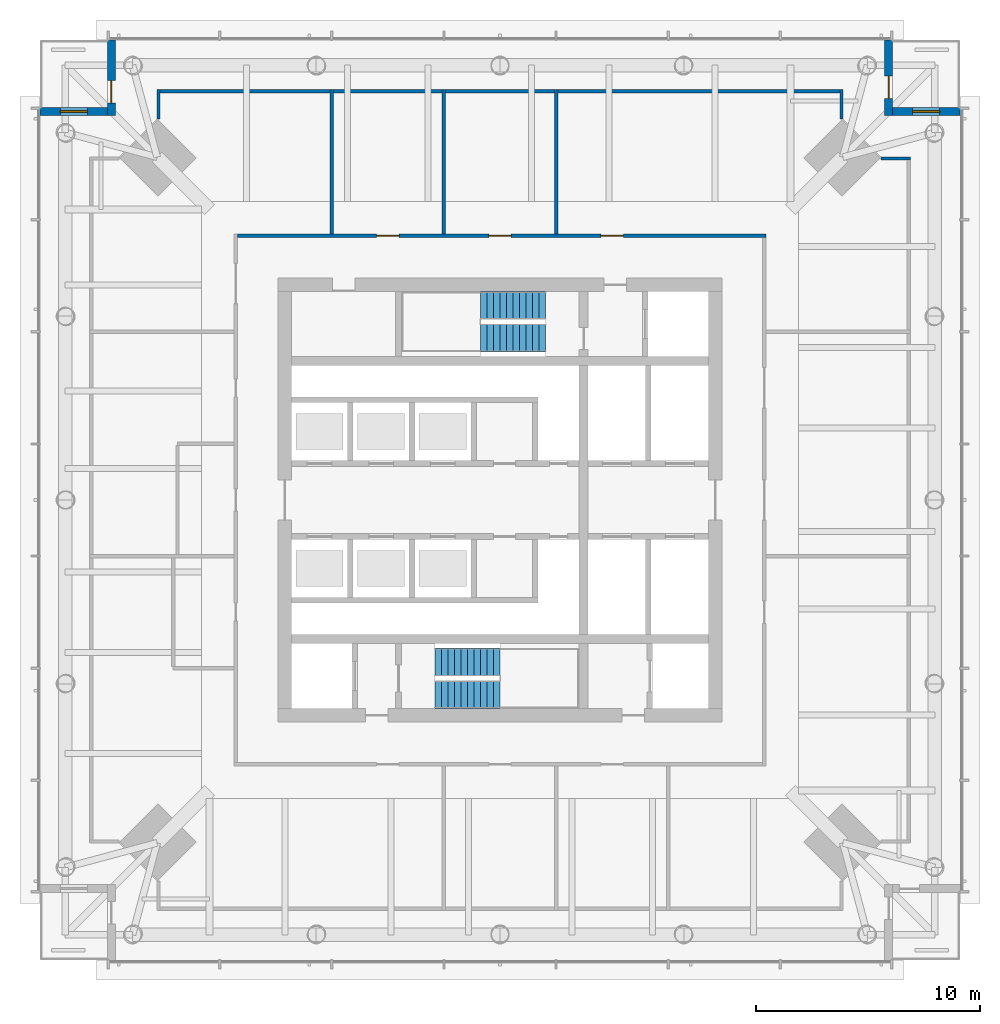
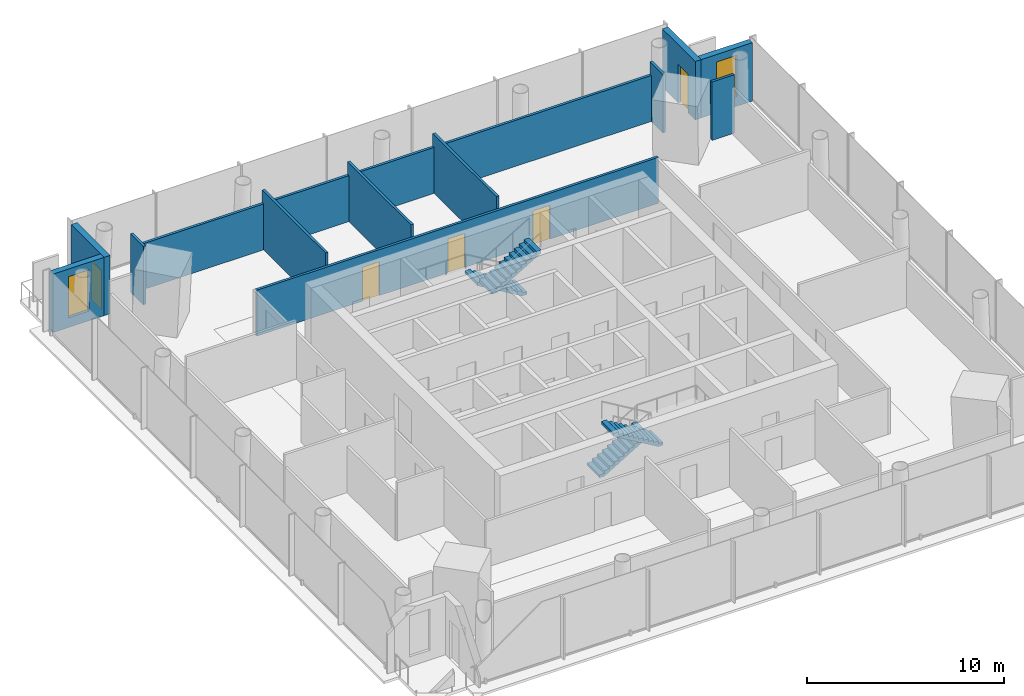
# One storey, part 6 of 12: 12 walls, 5 doors, 4 stair flights, 2 windows, 7 openings, 2 elements without a shape of their own.
"""IFC4 building model written with IfcOpenShell, lengths in metres."""

import ifcopenshell
import ifcopenshell.guid

model = None  # the IFC model being written
_history = None  # IfcOwnerHistory: only IFC2X3 demands one
_inside = {}  # id of a spatial element -> (the spatial element, [elements in it])
_under = {}  # id of a project, library or spatial element -> (it, [spatial elements below it])
_declared = {}  # id of a project -> (the project, [libraries it declares])
_typed = {}  # id of a type object -> (the type object, [elements of that type])
_made_of = {}  # id of a material, layer set ... -> (it, [elements and type objects made of it])


def new_model(schema):
    """Start an empty IFC model of exactly this schema.

    Asked for "IFC4X3", IfcOpenShell would pick the latest addendum, in which some entities
    have other attributes; the version numbers below select the first issue.
    IFC2X3 requires an IfcOwnerHistory on every rooted entity: one is made here for all.
    """
    global model, _history
    if schema == "IFC4X3":
        model = ifcopenshell.file(schema_version=(4, 3, 0, 0))
    else:
        model = ifcopenshell.file(schema=schema)
    _inside.clear()
    _under.clear()
    _declared.clear()
    _typed.clear()
    _made_of.clear()
    _history = None
    if model.schema == "IFC2X3":
        org = make("IfcOrganization", Name="unknown")
        user = make(
            "IfcPersonAndOrganization",
            ThePerson=make("IfcPerson", FamilyName="unknown"),
            TheOrganization=org,
        )
        app = make(
            "IfcApplication",
            ApplicationDeveloper=org,
            Version="unknown",
            ApplicationFullName="unknown",
            ApplicationIdentifier="unknown",
        )
        _history = make(
            "IfcOwnerHistory",
            OwningUser=user,
            OwningApplication=app,
            ChangeAction="ADDED",
            CreationDate=0,
        )
    return model


def make(cls, **values):
    """One entity of the class cls with the attributes given. An attribute that is None is left unset."""
    return model.create_entity(
        cls, **{name: value for name, value in values.items() if value is not None}
    )


def rooted(cls, **values):
    """An entity with a GlobalId (a new one), such as an element, a storey or a relation."""
    return make(cls, GlobalId=ifcopenshell.guid.new(), OwnerHistory=_history, **values)


def si_unit(unit_type, name, prefix=None):
    """IfcSIUnit, for example si_unit("LENGTHUNIT", "METRE", prefix="MILLI")."""
    return make("IfcSIUnit", UnitType=unit_type, Prefix=prefix, Name=name)


def assignment(units):
    """IfcUnitAssignment: the units of a project."""
    return None if units is None else make("IfcUnitAssignment", Units=units)


def point(xyz):
    """IfcCartesianPoint."""
    return None if xyz is None else make("IfcCartesianPoint", Coordinates=xyz)


def direction(xyz):
    """IfcDirection."""
    return None if xyz is None else make("IfcDirection", DirectionRatios=xyz)


def frame(location, z_axis=None, x_axis=None):
    """IfcAxis2Placement3D, a coordinate frame: its origin and axes. An axis left out is left unset."""
    return make(
        "IfcAxis2Placement3D",
        Location=point(location),
        Axis=direction(z_axis),
        RefDirection=direction(x_axis),
    )


def frame_2d(location, x_axis=None):
    """IfcAxis2Placement2D, a coordinate frame in the plane: its origin and x axis."""
    return make(
        "IfcAxis2Placement2D", Location=point(location), RefDirection=direction(x_axis)
    )


def origin():
    """The frame at (0, 0, 0) with its axes left unset."""
    return frame((0.0, 0.0, 0.0))


def place(relative_to, where):
    """IfcLocalPlacement: puts the frame where relative to a parent placement (None: the world)."""
    return make(
        "IfcLocalPlacement", PlacementRelTo=relative_to, RelativePlacement=where
    )


def context(
    kind, dimensions, precision=None, world=None, true_north=None, identifier=None
):
    """IfcGeometricRepresentationContext, for example the 3D "Model" context."""
    return make(
        "IfcGeometricRepresentationContext",
        ContextIdentifier=identifier,
        ContextType=kind,
        CoordinateSpaceDimension=dimensions,
        Precision=precision,
        WorldCoordinateSystem=world,
        TrueNorth=true_north,
    )


def subcontext(parent, identifier, kind, view, scale=None):
    """IfcGeometricRepresentationSubContext, for example "Body" below "Model"."""
    return make(
        "IfcGeometricRepresentationSubContext",
        ContextIdentifier=identifier,
        ContextType=kind,
        ParentContext=parent,
        TargetScale=scale,
        TargetView=view,
    )


def project(units=None, contexts=None):
    """IfcProject with its units and contexts."""
    return rooted(
        "IfcProject",
        Name="project",
        RepresentationContexts=contexts,
        UnitsInContext=assignment(units),
    )


def spatial(cls, under=None, at=None, **own):
    """A site, building, storey or space (cls), placed at a placement, below another one or the project."""
    s = rooted(cls, ObjectPlacement=at, **own)
    if under is not None:
        _under.setdefault(under.id(), (under, []))[1].append(s)
    return s


def polyline(points):
    """IfcPolyline through the points."""
    return make("IfcPolyline", Points=[point(p) for p in points])


def profile(cls, at=None, kind="AREA", **sizes):
    """A parametric profile (cls). Its sizes go by their IFC names, for example OverallWidth=200.0."""
    return make(cls, ProfileType=kind, Position=at, **sizes)


def rectangle(**sizes):
    """IfcRectangleProfileDef."""
    return profile("IfcRectangleProfileDef", **sizes)


def outline(outer, holes=None, kind="AREA"):
    """IfcArbitraryClosedProfileDef: a profile drawn as a closed curve; with holes, ...WithVoids."""
    if holes is None:
        return make("IfcArbitraryClosedProfileDef", ProfileType=kind, OuterCurve=outer)
    return make(
        "IfcArbitraryProfileDefWithVoids",
        ProfileType=kind,
        OuterCurve=outer,
        InnerCurves=holes,
    )


def extrude(swept, where, along, depth):
    """IfcExtrudedAreaSolid: the profile swept, set in the frame where, extruded along a direction by depth."""
    return make(
        "IfcExtrudedAreaSolid",
        SweptArea=swept,
        Position=where,
        ExtrudedDirection=direction(along),
        Depth=depth,
    )


def shape(context_of_items, identifier, shape_type, items):
    """IfcShapeRepresentation: the items that make up one representation, for example the "Body"."""
    return make(
        "IfcShapeRepresentation",
        ContextOfItems=context_of_items,
        RepresentationIdentifier=identifier,
        RepresentationType=shape_type,
        Items=items,
    )


def material(Name=None, Category=None):
    """IfcMaterial."""
    return make("IfcMaterial", Name=Name, Category=Category)


def layer(
    of_material, thickness, ventilated=None, Name=None, Category=None, Priority=None
):
    """IfcMaterialLayer: one layer of a wall or slab, of a material (None: an air gap)."""
    return make(
        "IfcMaterialLayer",
        Material=of_material,
        LayerThickness=thickness,
        IsVentilated=ventilated,
        Name=Name,
        Category=Category,
        Priority=Priority,
    )


def layer_set(layers, Name=None):
    """IfcMaterialLayerSet."""
    return make("IfcMaterialLayerSet", MaterialLayers=layers, LayerSetName=Name)


def made_of(thing, what):
    """Note that an element or type object is made of a material, layer set ...; save() writes the relation."""
    if what is not None:
        _made_of.setdefault(what.id(), (what, []))[1].append(thing)
    return thing


def type_object(cls, material=None, **own):
    """A type object (cls), such as IfcWallType, which elements share."""
    return made_of(rooted(cls, **own), material)


def element(
    cls,
    number,
    at=None,
    inside=None,
    cuts=None,
    type_object=None,
    material=None,
    context=None,
    identifier="Body",
    shape_type=None,
    held_by="IfcProductDefinitionShape",
    body=None,
    shapes=None,
    **own,
):
    """One element of the class cls, such as IfcWall. Its Tag is "e" and its number.

    at: its placement. inside: the storey or other place that contains it. cuts: it is an
    opening in that element (IfcRelVoidsElement). A single representation is given by context,
    identifier, shape_type and body (its items); several are given by shapes. held_by: the class
    of the entity that holds the representations. save() writes the other relations.
    """
    e = rooted(cls, Tag="e%d" % number, ObjectPlacement=at, **own)
    if body is not None:
        shapes = [shape(context, identifier, shape_type, body)]
    if shapes is not None:
        e.Representation = make(held_by, Representations=shapes)
    if inside is not None:
        _inside.setdefault(inside.id(), (inside, []))[1].append(e)
    if cuts is not None:
        rooted(
            "IfcRelVoidsElement", RelatingBuildingElement=cuts, RelatedOpeningElement=e
        )
    if type_object is not None:
        _typed.setdefault(type_object.id(), (type_object, []))[1].append(e)
    return made_of(e, material)


def fill(opening, filler):
    """IfcRelFillsElement: the door or window that sits in an opening."""
    return rooted(
        "IfcRelFillsElement",
        RelatingOpeningElement=opening,
        RelatedBuildingElement=filler,
    )


def aggregate(whole, parts):
    """IfcRelAggregates: a whole, such as a stair, and the parts it consists of."""
    return rooted("IfcRelAggregates", RelatingObject=whole, RelatedObjects=parts)


def save(model, path):
    """Write the relations noted so far, then the file.

    IfcRelAggregates (storeys below a building ...), IfcRelContainedInSpatialStructure (elements
    in a storey), IfcRelDefinesByType, IfcRelAssociatesMaterial and IfcRelDeclares: one each for
    every whole, place, type object, material and project.
    """
    for whole, parts in _under.values():
        aggregate(whole, parts)
    for where, things in _inside.values():
        rooted(
            "IfcRelContainedInSpatialStructure",
            RelatedElements=things,
            RelatingStructure=where,
        )
    for kind, things in _typed.values():
        rooted("IfcRelDefinesByType", RelatedObjects=things, RelatingType=kind)
    for what, things in _made_of.values():
        rooted("IfcRelAssociatesMaterial", RelatedObjects=things, RelatingMaterial=what)
    for by, libraries in _declared.values():
        rooted("IfcRelDeclares", RelatingContext=by, RelatedDefinitions=libraries)
    model.write(path)


model = new_model("IFC4")

# Units and contexts
model_context = context("Model", 3, precision=1e-05, world=origin(), true_north=direction((0.0, 1.0)))
body_context = subcontext(model_context, "Body", "Model", "MODEL_VIEW")
ifc_project = project(units=[si_unit("LENGTHUNIT", "METRE"), si_unit("AREAUNIT", "SQUARE_METRE"), si_unit("VOLUMEUNIT", "CUBIC_METRE"), si_unit("PLANEANGLEUNIT", "RADIAN"), si_unit("MASSUNIT", "GRAM", prefix="KILO")], contexts=[model_context])

# Site, building, storey
site_placement = place(None, origin())
site = spatial("IfcSite", under=ifc_project, at=site_placement, CompositionType="ELEMENT")
building_placement = place(site_placement, origin())
building = spatial("IfcBuilding", under=site, at=building_placement, Name="Ostroluk Exchange", CompositionType="ELEMENT")
storey_placement = place(building_placement, frame((0.0, 0.0, 165.39990234375)))
storey = spatial("IfcBuildingStorey", under=building, at=storey_placement, Name="L42", CompositionType="ELEMENT", Elevation=165.39990234375)

# Wall, opening, door
ifc_material_1 = material(Name="Limestone", Category="masonry")
ifc_layer_1 = layer(ifc_material_1, 0.35009765625)
ifc_layer_set_1 = layer_set([ifc_layer_1], Name="Limestone facade wall 350")
wall_type_1 = type_object("IfcWallType", Name="Limestone facade wall 350", PredefinedType="SOLIDWALL", material=ifc_layer_set_1)
wall_1_placement = place(storey_placement, frame((62.324951171875, 66.5, 0.0), z_axis=(0.0, 0.0, 1.0), x_axis=(0.0, -1.0, 0.0)))
wall_1 = element("IfcWall", 1, at=wall_1_placement, inside=storey, type_object=wall_type_1, Name="Office tower NE corner wall L42 a", PredefinedType="SOLIDWALL", context=body_context, shape_type="SweptSolid", body=[
    extrude(rectangle(XDim=3.35009765625, YDim=0.35009765625, at=frame_2d((1.675048828125, 0.0))), origin(), (0.0, 0.0, 1.0), 3.6201171875),
])
opening_1_placement = place(wall_1_placement, frame((1.60009765625, 0.0, 0.0)))
opening_1 = element("IfcOpeningElement", 2, at=opening_1_placement, cuts=wall_1, Name="Opening D-B1", PredefinedType="OPENING", context=body_context, shape_type="SweptSolid", body=[
    extrude(rectangle(XDim=1.0, YDim=2.39990234375, at=frame_2d((0.5, 1.199951171875))), frame((0.0, 0.18505859375, 0.0), z_axis=(0.0, -1.0, 0.0), x_axis=(1.0, 0.0, 0.0)), (0.0, 0.0, 1.0), 0.3701171875),
])
ifc_material_2 = material(Name="Bronze framed glazed door", Category="aluminium")
door_type_1 = type_object("IfcDoorType", Name="Balcony door 1000 x 2400", OperationType="SINGLE_SWING_LEFT", PredefinedType="DOOR", material=ifc_material_2)
door_1_placement = place(opening_1_placement, origin())
door_1 = element("IfcDoor", 3, at=door_1_placement, inside=storey, type_object=door_type_1, Name="Office tower NE balcony door L42", OperationType="SINGLE_SWING_RIGHT", OverallHeight=2.39990234375, OverallWidth=1.0, PredefinedType="DOOR", context=body_context, shape_type="SweptSolid", body=[
    extrude(rectangle(XDim=1.0, YDim=2.39990234375, at=frame_2d((0.5, 1.199951171875))), frame((0.0, 0.02490234375, 0.0), z_axis=(0.0, -1.0, 0.0), x_axis=(1.0, 0.0, 0.0)), (0.0, 0.0, 1.0), 0.050048828125),
])
fill(opening_1, door_1)

# Wall, opening, window
wall_2_placement = place(storey_placement, frame((62.5, 63.324951171875, 0.0), z_axis=(0.0, 0.0, 1.0), x_axis=(1.0, 0.0, 0.0)))
wall_2 = element("IfcWall", 4, at=wall_2_placement, inside=storey, type_object=wall_type_1, Name="Office tower NE corner wall L42 b", PredefinedType="SOLIDWALL", context=body_context, shape_type="SweptSolid", body=[
    extrude(rectangle(XDim=3.0, YDim=0.35009765625, at=frame_2d((1.5, 0.0))), origin(), (0.0, 0.0, 1.0), 3.6201171875),
])
opening_2_placement = place(wall_2_placement, frame((0.89990234375, 0.0, 0.60009765625)))
opening_2 = element("IfcOpeningElement", 5, at=opening_2_placement, cuts=wall_2, Name="Opening WN-L1", PredefinedType="OPENING", context=body_context, shape_type="SweptSolid", body=[
    extrude(rectangle(XDim=1.199951171875, YDim=2.550048828125, at=frame_2d((0.60009765625, 1.27490234375))), frame((0.0, 0.18505859375, 0.0), z_axis=(0.0, -1.0, 0.0), x_axis=(1.0, 0.0, 0.0)), (0.0, 0.0, 1.0), 0.3701171875),
])
ifc_material_3 = material(Name="Laminated clear glass", Category="glass")
window_type = type_object("IfcWindowType", Name="Lancet window 1200 x 2550", PartitioningType="SINGLE_PANEL", PredefinedType="WINDOW", material=ifc_material_3)
window_1_placement = place(opening_2_placement, origin())
window_1 = element("IfcWindow", 6, at=window_1_placement, inside=storey, type_object=window_type, Name="Office tower NE lancet window L42", OverallHeight=2.550048828125, OverallWidth=1.199951171875, PartitioningType="SINGLE_PANEL", PredefinedType="WINDOW", context=body_context, shape_type="SweptSolid", body=[
    extrude(rectangle(XDim=1.199951171875, YDim=2.550048828125, at=frame_2d((0.60009765625, 1.27490234375))), frame((0.0, 0.030029296875, 0.0), z_axis=(0.0, -1.0, 0.0), x_axis=(1.0, 0.0, 0.0)), (0.0, 0.0, 1.0), 0.06005859375),
])
fill(opening_2, window_1)

# Wall, opening, door
wall_3_placement = place(storey_placement, frame((27.675048828125, 66.5, 0.0), z_axis=(0.0, 0.0, 1.0), x_axis=(0.0, -1.0, 0.0)))
wall_3 = element("IfcWall", 7, at=wall_3_placement, inside=storey, type_object=wall_type_1, Name="Office tower NW corner wall L42 a", PredefinedType="SOLIDWALL", context=body_context, shape_type="SweptSolid", body=[
    extrude(rectangle(XDim=3.35009765625, YDim=0.35009765625, at=frame_2d((1.675048828125, 0.0))), origin(), (0.0, 0.0, 1.0), 3.6201171875),
])
opening_3_placement = place(wall_3_placement, frame((1.800048828125, 0.0, 0.0)))
opening_3 = element("IfcOpeningElement", 8, at=opening_3_placement, cuts=wall_3, Name="Opening D-B1", PredefinedType="OPENING", context=body_context, shape_type="SweptSolid", body=[
    extrude(rectangle(XDim=1.0, YDim=2.39990234375, at=frame_2d((0.5, 1.199951171875))), frame((0.0, 0.18505859375, 0.0), z_axis=(0.0, -1.0, 0.0), x_axis=(1.0, 0.0, 0.0)), (0.0, 0.0, 1.0), 0.3701171875),
])
door_2_placement = place(opening_3_placement, origin())
door_2 = element("IfcDoor", 9, at=door_2_placement, inside=storey, type_object=door_type_1, Name="Office tower NW balcony door L42", OperationType="SINGLE_SWING_RIGHT", OverallHeight=2.39990234375, OverallWidth=1.0, PredefinedType="DOOR", context=body_context, shape_type="SweptSolid", body=[
    extrude(rectangle(XDim=1.0, YDim=2.39990234375, at=frame_2d((0.5, 1.199951171875))), frame((0.0, 0.02490234375, 0.0), z_axis=(0.0, -1.0, 0.0), x_axis=(1.0, 0.0, 0.0)), (0.0, 0.0, 1.0), 0.050048828125),
])
fill(opening_3, door_2)

# Wall, opening, window
wall_4_placement = place(storey_placement, frame((27.5, 63.324951171875, 0.0), z_axis=(0.0, 0.0, 1.0), x_axis=(-1.0, 0.0, 0.0)))
wall_4 = element("IfcWall", 10, at=wall_4_placement, inside=storey, type_object=wall_type_1, Name="Office tower NW corner wall L42 b", PredefinedType="SOLIDWALL", context=body_context, shape_type="SweptSolid", body=[
    extrude(rectangle(XDim=3.0, YDim=0.35009765625, at=frame_2d((1.5, 0.0))), origin(), (0.0, 0.0, 1.0), 3.6201171875),
])
opening_4_placement = place(wall_4_placement, frame((0.89990234375, 0.0, 0.60009765625)))
opening_4 = element("IfcOpeningElement", 11, at=opening_4_placement, cuts=wall_4, Name="Opening WN-L1", PredefinedType="OPENING", context=body_context, shape_type="SweptSolid", body=[
    extrude(rectangle(XDim=1.199951171875, YDim=2.550048828125, at=frame_2d((0.60009765625, 1.27490234375))), frame((0.0, 0.18505859375, 0.0), z_axis=(0.0, -1.0, 0.0), x_axis=(1.0, 0.0, 0.0)), (0.0, 0.0, 1.0), 0.3701171875),
])
window_2_placement = place(opening_4_placement, origin())
window_2 = element("IfcWindow", 12, at=window_2_placement, inside=storey, type_object=window_type, Name="Office tower NW lancet window L42", OverallHeight=2.550048828125, OverallWidth=1.199951171875, PartitioningType="SINGLE_PANEL", PredefinedType="WINDOW", context=body_context, shape_type="SweptSolid", body=[
    extrude(rectangle(XDim=1.199951171875, YDim=2.550048828125, at=frame_2d((0.60009765625, 1.27490234375))), frame((0.0, 0.030029296875, 0.0), z_axis=(0.0, -1.0, 0.0), x_axis=(1.0, 0.0, 0.0)), (0.0, 0.0, 1.0), 0.06005859375),
])
fill(opening_4, window_2)

# Wall, openings, doors
ifc_material_4 = material(Name="Gypsum plasterboard partition", Category="gypsum")
ifc_layer_2 = layer(ifc_material_4, 0.14990234375)
ifc_layer_set_2 = layer_set([ifc_layer_2], Name="Plasterboard partition 150")
wall_type_2 = type_object("IfcWallType", Name="Plasterboard partition 150", PredefinedType="PARTITIONING", material=ifc_layer_set_2)
wall_5_placement = place(storey_placement, frame((56.85009765625, 57.77490234375, 0.0), z_axis=(0.0, 0.0, 1.0), x_axis=(-1.0, 0.0, 0.0)))
wall_5 = element("IfcWall", 13, at=wall_5_placement, inside=storey, type_object=wall_type_2, Name="Partition", PredefinedType="PARTITIONING", context=body_context, shape_type="SweptSolid", body=[
    extrude(rectangle(XDim=23.550048828125, YDim=0.14990234375, at=frame_2d((11.77490234375, 0.0))), origin(), (0.0, 0.0, 1.0), 2.85009765625),
])
opening_5_placement = place(wall_5_placement, frame((6.35009765625, 0.0, 0.0)))
opening_5 = element("IfcOpeningElement", 14, at=opening_5_placement, cuts=wall_5, Name="Opening D-03", PredefinedType="OPENING", context=body_context, shape_type="SweptSolid", body=[
    extrude(rectangle(XDim=1.0, YDim=2.10009765625, at=frame_2d((0.5, 1.050048828125))), frame((0.0, 0.0849609375, 0.0), z_axis=(0.0, -1.0, 0.0), x_axis=(1.0, 0.0, 0.0)), (0.0, 0.0, 1.0), 0.169921875),
])
opening_6_placement = place(wall_5_placement, frame((11.35009765625, 0.0, 0.0)))
opening_6 = element("IfcOpeningElement", 15, at=opening_6_placement, cuts=wall_5, Name="Opening D-03", PredefinedType="OPENING", context=body_context, shape_type="SweptSolid", body=[
    extrude(rectangle(XDim=1.0, YDim=2.10009765625, at=frame_2d((0.5, 1.050048828125))), frame((0.0, 0.0849609375, 0.0), z_axis=(0.0, -1.0, 0.0), x_axis=(1.0, 0.0, 0.0)), (0.0, 0.0, 1.0), 0.169921875),
])
opening_7_placement = place(wall_5_placement, frame((16.35009765625, 0.0, 0.0)))
opening_7 = element("IfcOpeningElement", 16, at=opening_7_placement, cuts=wall_5, Name="Opening D-03", PredefinedType="OPENING", context=body_context, shape_type="SweptSolid", body=[
    extrude(rectangle(XDim=1.0, YDim=2.10009765625, at=frame_2d((0.5, 1.050048828125))), frame((0.0, 0.0849609375, 0.0), z_axis=(0.0, -1.0, 0.0), x_axis=(1.0, 0.0, 0.0)), (0.0, 0.0, 1.0), 0.169921875),
])
ifc_material_5 = material(Name="Timber", Category="wood")
door_type_2 = type_object("IfcDoorType", Name="Internal door 1000 x 2100", OperationType="SINGLE_SWING_LEFT", PredefinedType="DOOR", material=ifc_material_5)
door_3_placement = place(opening_5_placement, origin())
door_3 = element("IfcDoor", 17, at=door_3_placement, inside=storey, type_object=door_type_2, Name="Meeting room door", OperationType="SINGLE_SWING_LEFT", OverallHeight=2.10009765625, OverallWidth=1.0, PredefinedType="DOOR", context=body_context, shape_type="SweptSolid", body=[
    extrude(rectangle(XDim=1.0, YDim=2.10009765625, at=frame_2d((0.5, 1.050048828125))), frame((0.0, 0.02490234375, 0.0), z_axis=(0.0, -1.0, 0.0), x_axis=(1.0, 0.0, 0.0)), (0.0, 0.0, 1.0), 0.050048828125),
])
fill(opening_5, door_3)
door_4_placement = place(opening_6_placement, origin())
door_4 = element("IfcDoor", 18, at=door_4_placement, inside=storey, type_object=door_type_2, Name="Meeting room door", OperationType="SINGLE_SWING_RIGHT", OverallHeight=2.10009765625, OverallWidth=1.0, PredefinedType="DOOR", context=body_context, shape_type="SweptSolid", body=[
    extrude(rectangle(XDim=1.0, YDim=2.10009765625, at=frame_2d((0.5, 1.050048828125))), frame((0.0, 0.02490234375, 0.0), z_axis=(0.0, -1.0, 0.0), x_axis=(1.0, 0.0, 0.0)), (0.0, 0.0, 1.0), 0.050048828125),
])
fill(opening_6, door_4)
door_5_placement = place(opening_7_placement, origin())
door_5 = element("IfcDoor", 19, at=door_5_placement, inside=storey, type_object=door_type_2, Name="Meeting room door", OperationType="SINGLE_SWING_RIGHT", OverallHeight=2.10009765625, OverallWidth=1.0, PredefinedType="DOOR", context=body_context, shape_type="SweptSolid", body=[
    extrude(rectangle(XDim=1.0, YDim=2.10009765625, at=frame_2d((0.5, 1.050048828125))), frame((0.0, 0.02490234375, 0.0), z_axis=(0.0, -1.0, 0.0), x_axis=(1.0, 0.0, 0.0)), (0.0, 0.0, 1.0), 0.050048828125),
])
fill(opening_7, door_5)

# Walls
for number, where, z_axis, x_axis, name in (
    (20, (47.5, 57.85009765625, 0.0), (0.0, 0.0, 1.0), (0.0, 1.0, 0.0), "Partition"),
    (21, (42.5, 57.85009765625, 0.0), (0.0, 0.0, 1.0), (0.0, 1.0, 0.0), "Partition"),
    (22, (37.5, 57.85009765625, 0.0), (0.0, 0.0, 1.0), (0.0, 1.0, 0.0), "Partition"),
):
    element("IfcWall", number, at=place(storey_placement, frame(where, z_axis=z_axis, x_axis=x_axis)), inside=storey, type_object=wall_type_2, Name=name, PredefinedType="PARTITIONING", context=body_context, shape_type="SweptSolid", body=[
        extrude(rectangle(XDim=6.449951171875, YDim=0.14990234375, at=frame_2d((3.22509765625, 0.0))), origin(), (0.0, 0.0, 1.0), 3.6201171875),
    ])
wall_6_placement = place(storey_placement, frame((29.77490234375, 62.982666015625, 0.0), z_axis=(0.0, 0.0, 1.0), x_axis=(0.0, 1.0, 0.0)))
element("IfcWall", 23, at=wall_6_placement, inside=storey, type_object=wall_type_2, Name="Truss zone partition", PredefinedType="PARTITIONING", context=body_context, shape_type="SweptSolid", body=[
    extrude(rectangle(XDim=1.3173828125, YDim=0.14990234375, at=frame_2d((0.65869140625, 0.0))), origin(), (0.0, 0.0, 1.0), 3.6201171875),
])
wall_7_placement = place(storey_placement, frame((29.699951171875, 64.22509765625, 0.0), z_axis=(0.0, 0.0, 1.0), x_axis=(1.0, 0.0, 0.0)))
element("IfcWall", 24, at=wall_7_placement, inside=storey, type_object=wall_type_2, Name="Truss zone partition", PredefinedType="PARTITIONING", context=body_context, shape_type="SweptSolid", body=[
    extrude(rectangle(XDim=30.60009765625, YDim=0.14990234375, at=frame_2d((15.300048828125, 0.0))), origin(), (0.0, 0.0, 1.0), 2.85009765625),
])
for number, where, z_axis, x_axis, name in (
    (25, (60.22509765625, 64.300048828125, 0.0), (0.0, 0.0, 1.0), (0.0, -1.0, 0.0), "Truss zone partition"),
    (26, (61.982666015625, 61.22509765625, 0.0), (0.0, 0.0, 1.0), (1.0, 0.0, 0.0), "Truss zone partition"),
):
    element("IfcWall", number, at=place(storey_placement, frame(where, z_axis=z_axis, x_axis=x_axis)), inside=storey, type_object=wall_type_2, Name=name, PredefinedType="PARTITIONING", context=body_context, shape_type="SweptSolid", body=[
        extrude(rectangle(XDim=1.3173828125, YDim=0.14990234375, at=frame_2d((0.65869140625, 0.0))), origin(), (0.0, 0.0, 1.0), 3.6201171875),
    ])

# Stair, stair flights
ifc_material_6 = material(Name="Concrete C30/37", Category="concrete")
stair_type = type_object("IfcStairType", Name="Exit stair half turn 3800", PredefinedType="HALF_TURN_STAIR", material=ifc_material_6)
stair_1_placement = place(storey_placement, origin())
stair_1 = element("IfcStair", 27, at=stair_1_placement, inside=storey, type_object=stair_type, Name="Stair T1-S1 L42", PredefinedType="HALF_TURN_STAIR")
ifc_material_7 = material(Name="Concrete C30/37", Category="concrete")
stair_flight_type = type_object("IfcStairFlightType", Name="Stair flight 11 risers 172.7 x 290", PredefinedType="STRAIGHT", material=ifc_material_7)
stair_flight_1_placement = place(storey_placement, frame((42.10009765625, 38.77490234375, 0.0), z_axis=(0.0, 0.0, 1.0), x_axis=(1.0, 0.0, 0.0)))
stair_flight_1 = element("IfcStairFlight", 28, at=stair_flight_1_placement, type_object=stair_flight_type, Name="T1-S1 flight 1", NumberOfRisers=11, NumberOfTreads=10, PredefinedType="STRAIGHT", RiserHeight=0.172727273, TreadLength=0.29, context=body_context, shape_type="SweptSolid", body=[
    extrude(outline(polyline([(0.0, 0.0), (0.0, 0.172607421875), (0.2900390625, 0.172607421875), (0.2900390625, 0.345458984375), (0.580078125, 0.345458984375), (0.580078125, 0.51806640625), (0.8701171875, 0.51806640625), (0.8701171875, 0.69091796875), (1.159912109375, 0.69091796875), (1.159912109375, 0.863525390625), (1.449951171875, 0.863525390625), (1.449951171875, 1.036376953125), (1.739990234375, 1.036376953125), (1.739990234375, 1.208984375), (2.030029296875, 1.208984375), (2.030029296875, 1.3818359375), (2.320068359375, 1.3818359375), (2.320068359375, 1.554443359375), (2.610107421875, 1.554443359375), (2.610107421875, 1.727294921875), (2.89990234375, 1.727294921875), (2.89990234375, 1.89990234375), (2.89990234375, 1.552734375), (0.29296875, 0.0), (0.0, 0.0)])), frame((0.0, 0.625, 0.0), z_axis=(0.0, -1.0, 0.0), x_axis=(1.0, 0.0, 0.0)), (0.0, 0.0, 1.0), 1.25),
])
stair_flight_2_placement = place(storey_placement, frame((45.0, 37.324951171875, 1.900146484375), z_axis=(0.0, 0.0, 1.0), x_axis=(-1.0, 0.0, 0.0)))
stair_flight_2 = element("IfcStairFlight", 29, at=stair_flight_2_placement, type_object=stair_flight_type, Name="T1-S1 flight 2", NumberOfRisers=11, NumberOfTreads=10, PredefinedType="STRAIGHT", RiserHeight=0.172727273, TreadLength=0.29, context=body_context, shape_type="SweptSolid", body=[
    extrude(outline(polyline([(0.0, 0.0), (0.0, 0.172607421875), (0.2900390625, 0.172607421875), (0.2900390625, 0.345458984375), (0.580078125, 0.345458984375), (0.580078125, 0.51806640625), (0.8701171875, 0.51806640625), (0.8701171875, 0.69091796875), (1.159912109375, 0.69091796875), (1.159912109375, 0.863525390625), (1.449951171875, 0.863525390625), (1.449951171875, 1.036376953125), (1.739990234375, 1.036376953125), (1.739990234375, 1.208984375), (2.030029296875, 1.208984375), (2.030029296875, 1.3818359375), (2.320068359375, 1.3818359375), (2.320068359375, 1.554443359375), (2.610107421875, 1.554443359375), (2.610107421875, 1.727294921875), (2.89990234375, 1.727294921875), (2.89990234375, 1.89990234375), (2.89990234375, 1.552734375), (0.29296875, 0.0), (0.0, 0.0)])), frame((0.0, 0.625, 0.0), z_axis=(0.0, -1.0, 0.0), x_axis=(1.0, 0.0, 0.0)), (0.0, 0.0, 1.0), 1.25),
])
aggregate(stair_1, [stair_flight_1, stair_flight_2])

stair_2_placement = place(storey_placement, origin())
stair_2 = element("IfcStair", 30, at=stair_2_placement, inside=storey, type_object=stair_type, Name="Stair T1-S2 L42", PredefinedType="HALF_TURN_STAIR")
stair_flight_3_placement = place(storey_placement, frame((47.030029296875, 54.675048828125, 0.0), z_axis=(0.0, 0.0, 1.0), x_axis=(-1.0, 0.0, 0.0)))
stair_flight_3 = element("IfcStairFlight", 31, at=stair_flight_3_placement, type_object=stair_flight_type, Name="T1-S2 flight 1", NumberOfRisers=11, NumberOfTreads=10, PredefinedType="STRAIGHT", RiserHeight=0.172727273, TreadLength=0.29, context=body_context, shape_type="SweptSolid", body=[
    extrude(outline(polyline([(0.0, 0.0), (0.0, 0.172607421875), (0.2900390625, 0.172607421875), (0.2900390625, 0.345458984375), (0.580078125, 0.345458984375), (0.580078125, 0.51806640625), (0.8701171875, 0.51806640625), (0.8701171875, 0.69091796875), (1.159912109375, 0.69091796875), (1.159912109375, 0.863525390625), (1.449951171875, 0.863525390625), (1.449951171875, 1.036376953125), (1.739990234375, 1.036376953125), (1.739990234375, 1.208984375), (2.030029296875, 1.208984375), (2.030029296875, 1.3818359375), (2.320068359375, 1.3818359375), (2.320068359375, 1.554443359375), (2.610107421875, 1.554443359375), (2.610107421875, 1.727294921875), (2.89990234375, 1.727294921875), (2.89990234375, 1.89990234375), (2.89990234375, 1.552734375), (0.29296875, 0.0), (0.0, 0.0)])), frame((0.0, 0.625, 0.0), z_axis=(0.0, -1.0, 0.0), x_axis=(1.0, 0.0, 0.0)), (0.0, 0.0, 1.0), 1.25),
])
stair_flight_4_placement = place(storey_placement, frame((44.1298828125, 53.22509765625, 1.900146484375), z_axis=(0.0, 0.0, 1.0), x_axis=(1.0, 0.0, 0.0)))
stair_flight_4 = element("IfcStairFlight", 32, at=stair_flight_4_placement, type_object=stair_flight_type, Name="T1-S2 flight 2", NumberOfRisers=11, NumberOfTreads=10, PredefinedType="STRAIGHT", RiserHeight=0.172727273, TreadLength=0.29, context=body_context, shape_type="SweptSolid", body=[
    extrude(outline(polyline([(0.0, 0.0), (0.0, 0.172607421875), (0.2900390625, 0.172607421875), (0.2900390625, 0.345458984375), (0.580078125, 0.345458984375), (0.580078125, 0.51806640625), (0.8701171875, 0.51806640625), (0.8701171875, 0.69091796875), (1.159912109375, 0.69091796875), (1.159912109375, 0.863525390625), (1.449951171875, 0.863525390625), (1.449951171875, 1.036376953125), (1.739990234375, 1.036376953125), (1.739990234375, 1.208984375), (2.030029296875, 1.208984375), (2.030029296875, 1.3818359375), (2.320068359375, 1.3818359375), (2.320068359375, 1.554443359375), (2.610107421875, 1.554443359375), (2.610107421875, 1.727294921875), (2.89990234375, 1.727294921875), (2.89990234375, 1.89990234375), (2.89990234375, 1.552734375), (0.29296875, 0.0), (0.0, 0.0)])), frame((0.0, 0.625, 0.0), z_axis=(0.0, -1.0, 0.0), x_axis=(1.0, 0.0, 0.0)), (0.0, 0.0, 1.0), 1.25),
])
aggregate(stair_2, [stair_flight_3, stair_flight_4])

save(model, "model.ifc")
